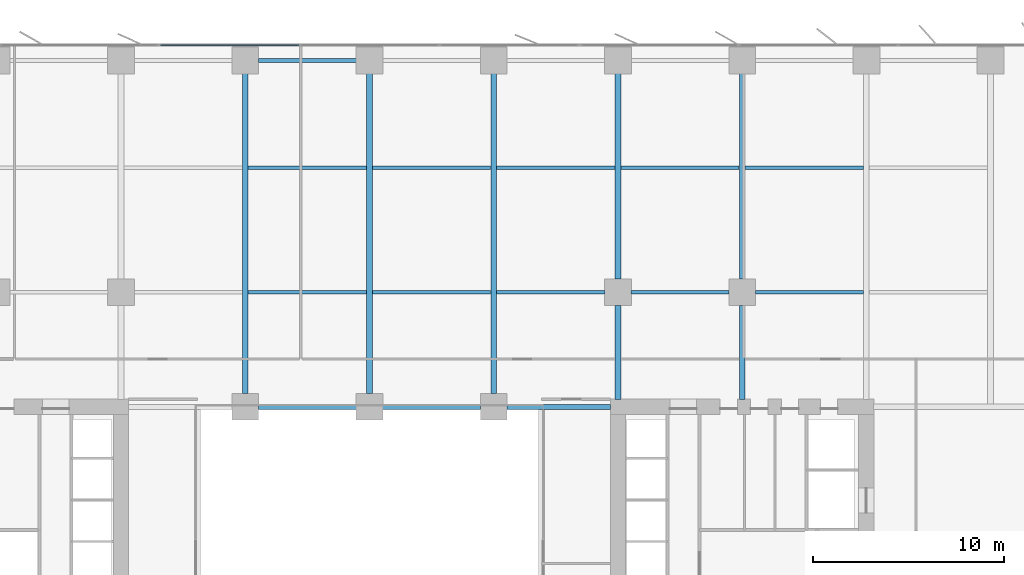
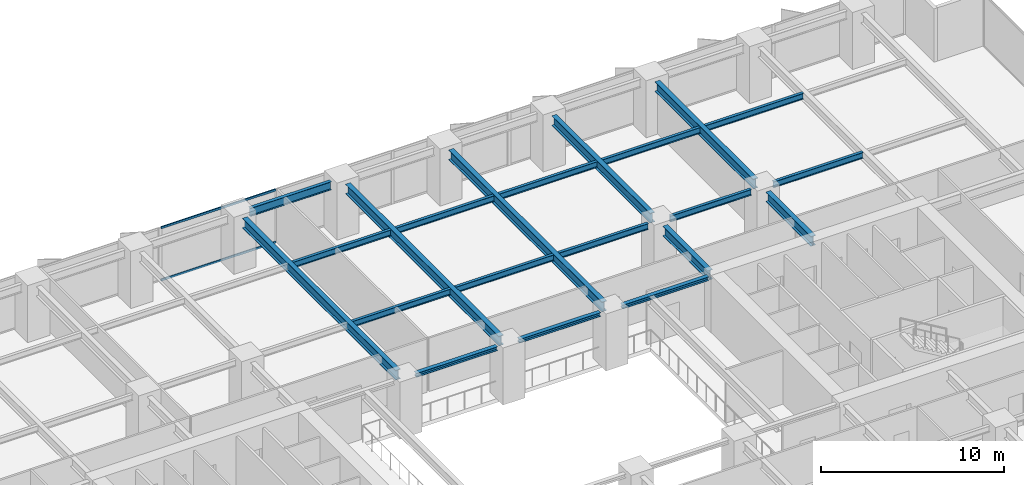
# One storey, part 8 of 20: 21 beams, 2 members, 1 element without a shape of its own.
"""IFC4 building model written with IfcOpenShell, lengths in metres."""

from ifc_helpers import new_model, si_unit, direction, frame, origin, origin_2d, place, context, subcontext, project, spatial, rectangle, i_section, extrude, material, layer, layer_set, material_profile, profile_set, type_object, element, aggregate, save


model = new_model("IFC4")

# Units and contexts
model_context = context("Model", 3, precision=1e-05, world=origin(), true_north=direction((0.0, 1.0)))
body_context = subcontext(model_context, "Body", "Model", "MODEL_VIEW")
ifc_project = project(units=[si_unit("LENGTHUNIT", "METRE"), si_unit("AREAUNIT", "SQUARE_METRE"), si_unit("VOLUMEUNIT", "CUBIC_METRE"), si_unit("PLANEANGLEUNIT", "RADIAN"), si_unit("MASSUNIT", "GRAM", prefix="KILO")], contexts=[model_context])

# Site, building, storey
site_placement = place(None, origin())
site = spatial("IfcSite", under=ifc_project, at=site_placement, CompositionType="ELEMENT")
building_placement = place(site_placement, origin())
building = spatial("IfcBuilding", under=site, at=building_placement, Name="Putna Gate Headquarters", CompositionType="ELEMENT")
storey_placement = place(building_placement, frame((0.0, 0.0, 46.800048828125)))
storey = spatial("IfcBuildingStorey", under=building, at=storey_placement, Name="L10", CompositionType="ELEMENT", Elevation=46.800048828125)

# Beams
ifc_material_1 = material(Name="Steel S355J2", Category="steel")
ifc_material_profile_1 = material_profile(ifc_material_1, i_section(OverallWidth=0.260009765625, OverallDepth=0.260009765625, WebThickness=0.010009765625, FlangeThickness=0.017578125, at=origin_2d()), Name="Steel S355J2")
ifc_profile_set_1 = profile_set([ifc_material_profile_1], Name="Steel S355J2")
beam_type_1 = type_object("IfcBeamType", Name="BM-ATRIUM-HEB260", PredefinedType="BEAM", material=ifc_profile_set_1)
for number, where, z_axis, x_axis, name in (
    (1, (33.18798828125, 33.0, 3.419921875), (1.0, 0.0, 0.0), (0.0, 1.0, 0.0), "L10 Atrium Edge Beam AN2"),
    (2, (39.68798828125, 33.0, 3.419921875), (1.0, 0.0, 0.0), (0.0, 1.0, 0.0), "L10 Atrium Edge Beam AN3"),
):
    element("IfcBeam", number, at=place(storey_placement, frame(where, z_axis=z_axis, x_axis=x_axis)), inside=storey, type_object=beam_type_1, Name=name, PredefinedType="BEAM", context=body_context, shape_type="SweptSolid", body=[
        extrude(i_section(OverallWidth=0.260009765625, OverallDepth=0.260009765625, WebThickness=0.010009765625, FlangeThickness=0.017578125, at=origin_2d()), origin(), (0.0, 0.0, 1.0), 5.1240234375),
    ])
beam_1_placement = place(storey_placement, frame((46.18798828125, 33.0, 3.419921875), z_axis=(1.0, 0.0, 0.0), x_axis=(0.0, 1.0, 0.0)))
element("IfcBeam", 3, at=beam_1_placement, inside=storey, type_object=beam_type_1, Name="L10 Atrium Edge Beam AN4", PredefinedType="BEAM", context=body_context, shape_type="SweptSolid", body=[
    extrude(i_section(OverallWidth=0.260009765625, OverallDepth=0.260009765625, WebThickness=0.010009765625, FlangeThickness=0.017578125, at=origin_2d()), origin(), (0.0, 0.0, 1.0), 5.427001953125),
])
ifc_material_profile_2 = material_profile(ifc_material_1, i_section(OverallWidth=0.300048828125, OverallDepth=0.64990234375, WebThickness=0.01611328125, FlangeThickness=0.031005859375, at=origin_2d()), Name="Steel S355J2")
ifc_profile_set_2 = profile_set([ifc_material_profile_2], Name="Steel S355J2")
beam_type_2 = type_object("IfcBeamType", Name="BM-GIRD-Z1-HEB650", PredefinedType="USERDEFINED", material=ifc_profile_set_2)
for number, where, z_axis, x_axis, name in (
    (4, (32.5, 33.68798828125, 3.224853515625), (0.0, 1.0, 0.0), (-1.0, 0.0, 0.0), "L10 North Primary Girder X32"),
    (5, (39.0, 33.68798828125, 3.224853515625), (0.0, 1.0, 0.0), (-1.0, 0.0, 0.0), "L10 North Primary Girder X39"),
    (6, (45.5, 33.68798828125, 3.224853515625), (0.0, 1.0, 0.0), (-1.0, 0.0, 0.0), "L10 North Primary Girder X45"),
):
    element("IfcBeam", number, at=place(storey_placement, frame(where, z_axis=z_axis, x_axis=x_axis)), inside=storey, type_object=beam_type_2, Name=name, ObjectType="GIRDER", PredefinedType="USERDEFINED", context=body_context, shape_type="SweptSolid", body=[
        extrude(i_section(OverallWidth=0.300048828125, OverallDepth=0.64990234375, WebThickness=0.01611328125, FlangeThickness=0.031005859375, at=origin_2d()), origin(), (0.0, 0.0, 1.0), 16.743896484375),
    ])
beam_2_placement = place(storey_placement, frame((52.0, 33.385009765625, 3.224853515625), z_axis=(0.0, 1.0, 0.0), x_axis=(-1.0, 0.0, 0.0)))
element("IfcBeam", 7, at=beam_2_placement, inside=storey, type_object=beam_type_2, Name="L10 North Primary Girder X52-1", ObjectType="GIRDER", PredefinedType="USERDEFINED", context=body_context, shape_type="SweptSolid", body=[
    extrude(i_section(OverallWidth=0.300048828125, OverallDepth=0.64990234375, WebThickness=0.01611328125, FlangeThickness=0.031005859375, at=origin_2d()), origin(), (0.0, 0.0, 1.0), 4.927001953125),
])
beam_3_placement = place(storey_placement, frame((52.0, 39.68798828125, 3.224853515625), z_axis=(0.0, 1.0, 0.0), x_axis=(-1.0, 0.0, 0.0)))
element("IfcBeam", 8, at=beam_3_placement, inside=storey, type_object=beam_type_2, Name="L10 North Primary Girder X52-2", ObjectType="GIRDER", PredefinedType="USERDEFINED", context=body_context, shape_type="SweptSolid", body=[
    extrude(i_section(OverallWidth=0.300048828125, OverallDepth=0.64990234375, WebThickness=0.01611328125, FlangeThickness=0.031005859375, at=origin_2d()), origin(), (0.0, 0.0, 1.0), 10.743896484375),
])
beam_4_placement = place(storey_placement, frame((58.5, 33.385009765625, 3.224853515625), z_axis=(0.0, 1.0, 0.0), x_axis=(-1.0, 0.0, 0.0)))
element("IfcBeam", 9, at=beam_4_placement, inside=storey, type_object=beam_type_2, Name="L10 North Primary Girder X58-1", ObjectType="GIRDER", PredefinedType="USERDEFINED", context=body_context, shape_type="SweptSolid", body=[
    extrude(i_section(OverallWidth=0.300048828125, OverallDepth=0.64990234375, WebThickness=0.01611328125, FlangeThickness=0.031005859375, at=origin_2d()), origin(), (0.0, 0.0, 1.0), 4.927001953125),
])
beam_5_placement = place(storey_placement, frame((58.5, 39.68798828125, 3.224853515625), z_axis=(0.0, 1.0, 0.0), x_axis=(-1.0, 0.0, 0.0)))
element("IfcBeam", 10, at=beam_5_placement, inside=storey, type_object=beam_type_2, Name="L10 North Primary Girder X58-2", ObjectType="GIRDER", PredefinedType="USERDEFINED", context=body_context, shape_type="SweptSolid", body=[
    extrude(i_section(OverallWidth=0.300048828125, OverallDepth=0.64990234375, WebThickness=0.01611328125, FlangeThickness=0.031005859375, at=origin_2d()), origin(), (0.0, 0.0, 1.0), 10.743896484375),
])
ifc_material_profile_3 = material_profile(ifc_material_1, i_section(OverallWidth=0.179931640625, OverallDepth=0.39990234375, WebThickness=0.008544921875, FlangeThickness=0.013427734375, at=origin_2d()), Name="Steel S355J2")
ifc_profile_set_3 = profile_set([ifc_material_profile_3], Name="Steel S355J2")
beam_type_3 = type_object("IfcBeamType", Name="BM-SEC-Z1-IPE400", PredefinedType="BEAM", material=ifc_profile_set_3)
for number, where, z_axis, x_axis, name in (
    (11, (32.654052734375, 39.0, 3.349853515625), (1.0, 0.0, 0.0), (0.0, 1.0, 0.0), "L10 North Secondary Beam 5"),
    (12, (32.654052734375, 45.5, 3.349853515625), (1.0, 0.0, 0.0), (0.0, 1.0, 0.0), "L10 North Secondary Beam 5"),
    (13, (39.154052734375, 39.0, 3.349853515625), (1.0, 0.0, 0.0), (0.0, 1.0, 0.0), "L10 North Secondary Beam 6"),
    (14, (39.154052734375, 45.5, 3.349853515625), (1.0, 0.0, 0.0), (0.0, 1.0, 0.0), "L10 North Secondary Beam 6"),
):
    element("IfcBeam", number, at=place(storey_placement, frame(where, z_axis=z_axis, x_axis=x_axis)), inside=storey, type_object=beam_type_3, Name=name, PredefinedType="BEAM", context=body_context, shape_type="SweptSolid", body=[
        extrude(i_section(OverallWidth=0.179931640625, OverallDepth=0.39990234375, WebThickness=0.008544921875, FlangeThickness=0.013427734375, at=origin_2d()), origin(), (0.0, 0.0, 1.0), 6.19189453125),
    ])
beam_6_placement = place(storey_placement, frame((45.654052734375, 39.0, 3.349853515625), z_axis=(1.0, 0.0, 0.0), x_axis=(0.0, 1.0, 0.0)))
element("IfcBeam", 15, at=beam_6_placement, inside=storey, type_object=beam_type_3, Name="L10 North Secondary Beam 7", PredefinedType="BEAM", context=body_context, shape_type="SweptSolid", body=[
    extrude(i_section(OverallWidth=0.179931640625, OverallDepth=0.39990234375, WebThickness=0.008544921875, FlangeThickness=0.013427734375, at=origin_2d()), origin(), (0.0, 0.0, 1.0), 5.657958984375),
])
beam_7_placement = place(storey_placement, frame((45.654052734375, 45.5, 3.349853515625), z_axis=(1.0, 0.0, 0.0), x_axis=(0.0, 1.0, 0.0)))
element("IfcBeam", 16, at=beam_7_placement, inside=storey, type_object=beam_type_3, Name="L10 North Secondary Beam 7", PredefinedType="BEAM", context=body_context, shape_type="SweptSolid", body=[
    extrude(i_section(OverallWidth=0.179931640625, OverallDepth=0.39990234375, WebThickness=0.008544921875, FlangeThickness=0.013427734375, at=origin_2d()), origin(), (0.0, 0.0, 1.0), 6.19189453125),
])
beam_8_placement = place(storey_placement, frame((52.68798828125, 39.0, 3.349853515625), z_axis=(1.0, 0.0, 0.0), x_axis=(0.0, 1.0, 0.0)))
element("IfcBeam", 17, at=beam_8_placement, inside=storey, type_object=beam_type_3, Name="L10 North Secondary Beam 8", PredefinedType="BEAM", context=body_context, shape_type="SweptSolid", body=[
    extrude(i_section(OverallWidth=0.179931640625, OverallDepth=0.39990234375, WebThickness=0.008544921875, FlangeThickness=0.013427734375, at=origin_2d()), origin(), (0.0, 0.0, 1.0), 5.1240234375),
])
beam_9_placement = place(storey_placement, frame((52.154052734375, 45.5, 3.349853515625), z_axis=(1.0, 0.0, 0.0), x_axis=(0.0, 1.0, 0.0)))
element("IfcBeam", 18, at=beam_9_placement, inside=storey, type_object=beam_type_3, Name="L10 North Secondary Beam 8", PredefinedType="BEAM", context=body_context, shape_type="SweptSolid", body=[
    extrude(i_section(OverallWidth=0.179931640625, OverallDepth=0.39990234375, WebThickness=0.008544921875, FlangeThickness=0.013427734375, at=origin_2d()), origin(), (0.0, 0.0, 1.0), 6.19189453125),
])
beam_10_placement = place(storey_placement, frame((59.18798828125, 39.0, 3.349853515625), z_axis=(1.0, 0.0, 0.0), x_axis=(0.0, 1.0, 0.0)))
element("IfcBeam", 19, at=beam_10_placement, inside=storey, type_object=beam_type_3, Name="L10 North Secondary Beam 9", PredefinedType="BEAM", context=body_context, shape_type="SweptSolid", body=[
    extrude(i_section(OverallWidth=0.179931640625, OverallDepth=0.39990234375, WebThickness=0.008544921875, FlangeThickness=0.013427734375, at=origin_2d()), origin(), (0.0, 0.0, 1.0), 5.657958984375),
])
beam_11_placement = place(storey_placement, frame((58.654052734375, 45.5, 3.349853515625), z_axis=(1.0, 0.0, 0.0), x_axis=(0.0, 1.0, 0.0)))
element("IfcBeam", 20, at=beam_11_placement, inside=storey, type_object=beam_type_3, Name="L10 North Secondary Beam 9", PredefinedType="BEAM", context=body_context, shape_type="SweptSolid", body=[
    extrude(i_section(OverallWidth=0.179931640625, OverallDepth=0.39990234375, WebThickness=0.008544921875, FlangeThickness=0.013427734375, at=origin_2d()), origin(), (0.0, 0.0, 1.0), 6.19189453125),
])
ifc_material_profile_4 = material_profile(ifc_material_1, i_section(OverallWidth=0.2099609375, OverallDepth=0.550048828125, WebThickness=0.010986328125, FlangeThickness=0.01708984375, at=origin_2d()), Name="Steel S355J2")
ifc_profile_set_4 = profile_set([ifc_material_profile_4], Name="Steel S355J2")
beam_type_4 = type_object("IfcBeamType", Name="BM-SPAN-Z1-IPE550", PredefinedType="SPANDREL", material=ifc_profile_set_4)
beam_12_placement = place(storey_placement, frame((33.18798828125, 51.1201171875, 3.27490234375), z_axis=(1.0, 0.0, 0.0), x_axis=(0.0, 1.0, 0.0)))
element("IfcBeam", 21, at=beam_12_placement, inside=storey, type_object=beam_type_4, Name="L10 N Perimeter Spandrel 5", PredefinedType="SPANDREL", context=body_context, shape_type="SweptSolid", body=[
    extrude(i_section(OverallWidth=0.2099609375, OverallDepth=0.550048828125, WebThickness=0.010986328125, FlangeThickness=0.01708984375, at=origin_2d()), origin(), (0.0, 0.0, 1.0), 5.1240234375),
])

# Curtain wall, members
ifc_material_2 = material(Name="Anodised bronze aluminium curtain wall", Category="aluminium")
ifc_layer = layer(ifc_material_2, 0.179931640625)
ifc_layer_set = layer_set([ifc_layer], Name="Anodised bronze aluminium curtain wall")
curtain_wall_type = type_object("IfcCurtainWallType", Name="CW-SYS-ATR", PredefinedType="USERDEFINED", material=ifc_layer_set)
curtain_wall_placement = place(storey_placement, origin())
curtain_wall = element("IfcCurtainWall", 22, at=curtain_wall_placement, inside=storey, type_object=curtain_wall_type, Name="L10 North Atrium Clear Glazing", ObjectType="ATRIUM GLAZING", PredefinedType="USERDEFINED")
ifc_material_3 = material(Name="Anodised bronze aluminium EN AW-6060", Category="aluminium")
ifc_material_profile_5 = material_profile(ifc_material_3, rectangle(XDim=0.070068359375, YDim=0.139892578125, at=origin_2d()), Name="Anodised bronze aluminium EN AW-6060")
ifc_profile_set_5 = profile_set([ifc_material_profile_5], Name="Anodised bronze aluminium EN AW-6060")
member_type = type_object("IfcMemberType", Name="TRAN-CWT-AT", PredefinedType="USERDEFINED", material=ifc_profile_set_5)
member_1_placement = place(storey_placement, frame((28.070068359375, 51.919921875, 0.034912109375), z_axis=(1.0, 0.0, 0.0), x_axis=(0.0, 1.0, 0.0)))
member_1 = element("IfcMember", 23, at=member_1_placement, type_object=member_type, Name="CWS-AT transom 1.1", ObjectType="TRANSOM", PredefinedType="USERDEFINED", context=body_context, shape_type="SweptSolid", body=[
    extrude(rectangle(XDim=0.070068359375, YDim=0.139892578125, at=origin_2d()), origin(), (0.0, 0.0, 1.0), 7.228271484375),
])
member_2_placement = place(storey_placement, frame((28.070068359375, 51.919921875, 3.514892578125), z_axis=(1.0, 0.0, 0.0), x_axis=(0.0, 1.0, 0.0)))
member_2 = element("IfcMember", 24, at=member_2_placement, type_object=member_type, Name="CWS-AT transom 1.2", ObjectType="TRANSOM", PredefinedType="USERDEFINED", context=body_context, shape_type="SweptSolid", body=[
    extrude(rectangle(XDim=0.070068359375, YDim=0.139892578125, at=origin_2d()), origin(), (0.0, 0.0, 1.0), 7.228271484375),
])
aggregate(curtain_wall, [member_1, member_2])

save(model, "model.ifc")
